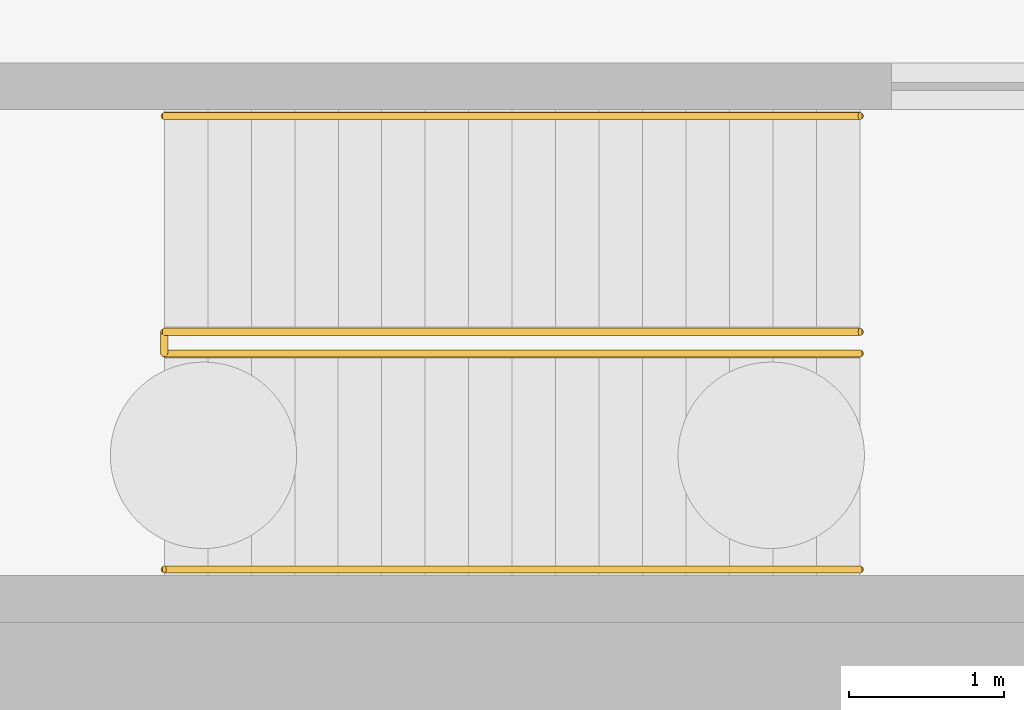
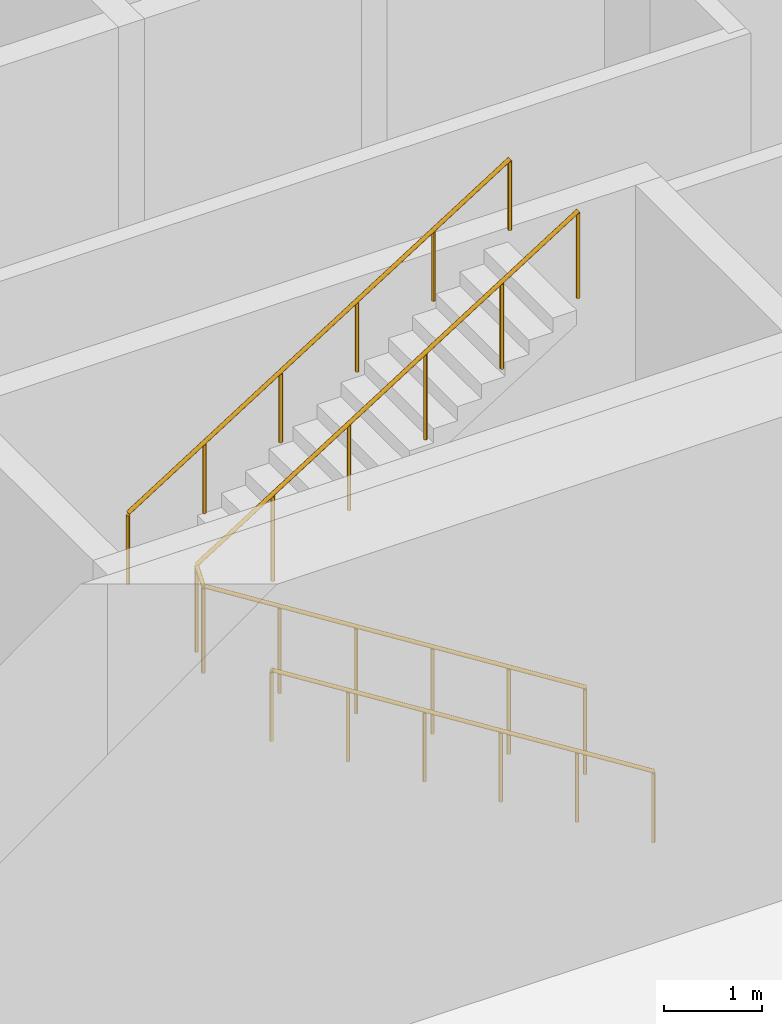
# One storey, part 8 of 9: 3 railings.
"""IFC4 building model written with IfcOpenShell, lengths in metres."""

from ifc_helpers import new_model, si_unit, direction, frame, origin, origin_2d, place, context, subcontext, project, spatial, circle, extrude, material, type_object, element, save


model = new_model("IFC4")

# Units and contexts
model_context = context("Model", 3, precision=1e-05, world=origin(), true_north=direction((0.0, 1.0)))
body_context = subcontext(model_context, "Body", "Model", "MODEL_VIEW")
ifc_project = project(units=[si_unit("LENGTHUNIT", "METRE"), si_unit("AREAUNIT", "SQUARE_METRE"), si_unit("VOLUMEUNIT", "CUBIC_METRE"), si_unit("PLANEANGLEUNIT", "RADIAN"), si_unit("MASSUNIT", "GRAM", prefix="KILO")], contexts=[model_context])

# Site, building, storey
site_placement = place(None, origin())
site = spatial("IfcSite", under=ifc_project, at=site_placement, CompositionType="ELEMENT")
building_placement = place(site_placement, origin())
building = spatial("IfcBuilding", under=site, at=building_placement, Name="Brigalow Station Residences", CompositionType="ELEMENT")
storey_placement = place(building_placement, frame((0.0, 0.0, -6.0)))
storey = spatial("IfcBuildingStorey", under=building, at=storey_placement, Name="B1", CompositionType="ELEMENT", Elevation=-6.0)

# Railings
ifc_material_1 = material(Name="Stainless steel balustrade", Category="steel")
railing_type_1 = type_object("IfcRailingType", Name="STAIR GUARD 1100", PredefinedType="GUARDRAIL", material=ifc_material_1)
railing_1_placement = place(storey_placement, frame((38.39990234375, 2.72998046875, 0.176025390625)))
element("IfcRailing", 1, at=railing_1_placement, inside=storey, type_object=railing_type_1, Name="GUARD GR-2", PredefinedType="GUARDRAIL", context=body_context, shape_type="SweptSolid", body=[
    extrude(circle(Radius=0.02392578125, at=origin_2d()), frame((0.0, 0.0, 1.076171875), z_axis=(-0.845956345692, 0.0, 0.533252155347), x_axis=(0.0, -1.0, 0.0)), (0.0, 0.0, 1.0), 5.295654296875),
    extrude(circle(Radius=0.02392578125, at=origin_2d()), frame((-4.47998046875, 0.0, 3.89990234375), z_axis=(0.0, 0.622840699638, 0.782348683692), x_axis=(-1.0, 0.0, 0.0)), (0.0, 0.0, 1.0), 0.22509765625),
    extrude(circle(Radius=0.02392578125, at=origin_2d()), frame((-4.47998046875, 0.14013671875, 4.076171875), z_axis=(0.845956345692, 0.0, 0.533252155347), x_axis=(0.0, 1.0, 0.0)), (0.0, 0.0, 1.0), 5.295654296875),
    extrude(circle(Radius=0.02099609375, at=origin_2d()), origin(), (0.0, 0.0, 1.0), 1.052001953125),
    extrude(circle(Radius=0.02099609375, at=origin_2d()), frame((-0.89599609375, 0.0, 0.564697265625)), (0.0, 0.0, 1.0), 1.052001953125),
    extrude(circle(Radius=0.02099609375, at=origin_2d()), frame((-1.7919921875, 0.0, 1.129638671875)), (0.0, 0.0, 1.0), 1.052001953125),
    extrude(circle(Radius=0.02099609375, at=origin_2d()), frame((-2.68798828125, 0.0, 1.6943359375)), (0.0, 0.0, 1.0), 1.052001953125),
    extrude(circle(Radius=0.02099609375, at=origin_2d()), frame((-3.583984375, 0.0, 2.25927734375)), (0.0, 0.0, 1.0), 1.052001953125),
    extrude(circle(Radius=0.02099609375, at=origin_2d()), frame((-4.47998046875, 0.0, 2.823974609375)), (0.0, 0.0, 1.0), 1.052001953125),
    extrude(circle(Radius=0.02099609375, at=origin_2d()), frame((-4.47998046875, 0.14013671875, 3.0)), (0.0, 0.0, 1.0), 1.052001953125),
    extrude(circle(Radius=0.02099609375, at=origin_2d()), frame((-3.583984375, 0.14013671875, 3.564697265625)), (0.0, 0.0, 1.0), 1.052001953125),
    extrude(circle(Radius=0.02099609375, at=origin_2d()), frame((-2.68798828125, 0.14013671875, 4.129638671875)), (0.0, 0.0, 1.0), 1.052001953125),
    extrude(circle(Radius=0.02099609375, at=origin_2d()), frame((-1.7919921875, 0.14013671875, 4.6943359375)), (0.0, 0.0, 1.0), 1.052001953125),
    extrude(circle(Radius=0.02099609375, at=origin_2d()), frame((-0.89599609375, 0.14013671875, 5.25927734375)), (0.0, 0.0, 1.0), 1.052001953125),
    extrude(circle(Radius=0.02099609375, at=origin_2d()), frame((0.0, 0.14013671875, 5.823974609375)), (0.0, 0.0, 1.0), 1.052001953125),
])
ifc_material_2 = material(Name="Stainless steel handrail", Category="steel")
railing_type_2 = type_object("IfcRailingType", Name="STAIR HANDRAIL 900", PredefinedType="HANDRAIL", material=ifc_material_2)
railing_2_placement = place(storey_placement, frame((38.39990234375, 1.340087890625, 0.176025390625)))
element("IfcRailing", 2, at=railing_2_placement, inside=storey, type_object=railing_type_2, Name="HANDRAIL HR-21", PredefinedType="HANDRAIL", context=body_context, shape_type="SweptSolid", body=[
    extrude(circle(Radius=0.02392578125, at=origin_2d()), frame((0.0, 0.0, 0.8759765625), z_axis=(-0.845956345692, 0.0, 0.533252155347), x_axis=(0.0, -1.0, 0.0)), (0.0, 0.0, 1.0), 5.295654296875),
    extrude(circle(Radius=0.02099609375, at=origin_2d()), origin(), (0.0, 0.0, 1.0), 0.851806640625),
    extrude(circle(Radius=0.02099609375, at=origin_2d()), frame((-0.89599609375, 0.0, 0.564697265625)), (0.0, 0.0, 1.0), 0.851806640625),
    extrude(circle(Radius=0.02099609375, at=origin_2d()), frame((-1.7919921875, 0.0, 1.129638671875)), (0.0, 0.0, 1.0), 0.851806640625),
    extrude(circle(Radius=0.02099609375, at=origin_2d()), frame((-2.68798828125, 0.0, 1.6943359375)), (0.0, 0.0, 1.0), 0.851806640625),
    extrude(circle(Radius=0.02099609375, at=origin_2d()), frame((-3.583984375, 0.0, 2.25927734375)), (0.0, 0.0, 1.0), 0.851806640625),
    extrude(circle(Radius=0.02099609375, at=origin_2d()), frame((-4.47998046875, 0.0, 2.823974609375)), (0.0, 0.0, 1.0), 0.851806640625),
])
railing_3_placement = place(storey_placement, frame((33.919921875, 4.260009765625, 3.176025390625)))
element("IfcRailing", 3, at=railing_3_placement, inside=storey, type_object=railing_type_2, Name="HANDRAIL HR-22", PredefinedType="HANDRAIL", context=body_context, shape_type="SweptSolid", body=[
    extrude(circle(Radius=0.02392578125, at=origin_2d()), frame((0.0, 0.0, 0.8759765625), z_axis=(0.845956345692, 0.0, 0.533252155347), x_axis=(0.0, 1.0, 0.0)), (0.0, 0.0, 1.0), 5.295654296875),
    extrude(circle(Radius=0.02099609375, at=origin_2d()), origin(), (0.0, 0.0, 1.0), 0.851806640625),
    extrude(circle(Radius=0.02099609375, at=origin_2d()), frame((0.89599609375, 0.0, 0.564697265625)), (0.0, 0.0, 1.0), 0.851806640625),
    extrude(circle(Radius=0.02099609375, at=origin_2d()), frame((1.7919921875, 0.0, 1.129638671875)), (0.0, 0.0, 1.0), 0.851806640625),
    extrude(circle(Radius=0.02099609375, at=origin_2d()), frame((2.68798828125, 0.0, 1.6943359375)), (0.0, 0.0, 1.0), 0.851806640625),
    extrude(circle(Radius=0.02099609375, at=origin_2d()), frame((3.583984375, 0.0, 2.25927734375)), (0.0, 0.0, 1.0), 0.851806640625),
    extrude(circle(Radius=0.02099609375, at=origin_2d()), frame((4.47998046875, 0.0, 2.823974609375)), (0.0, 0.0, 1.0), 0.851806640625),
])

save(model, "model.ifc")
